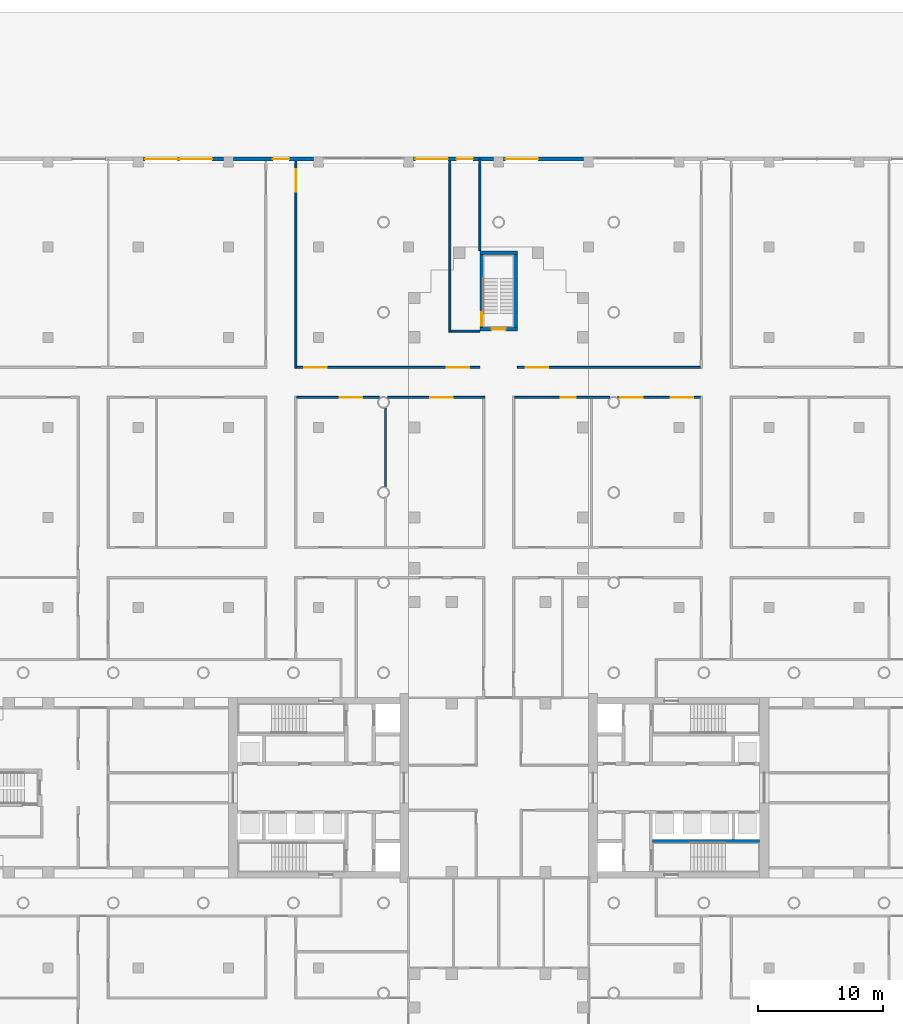
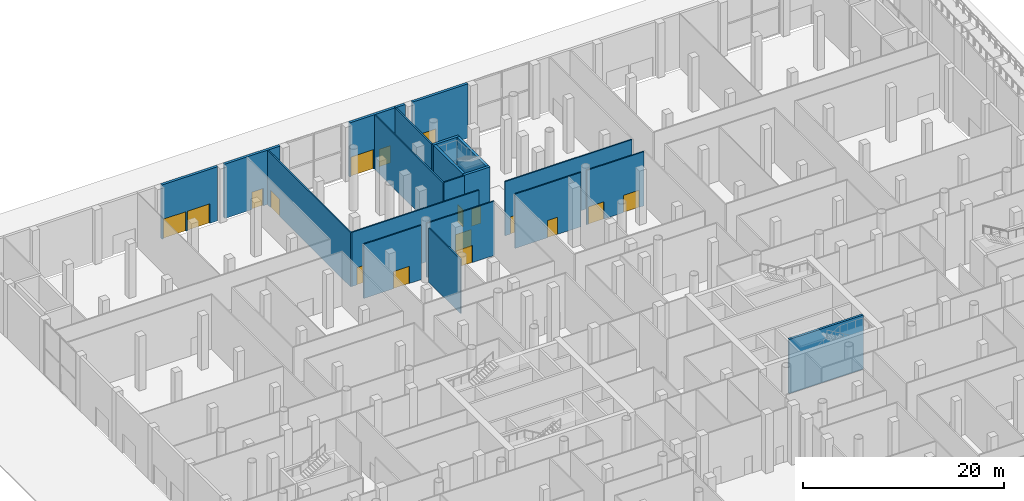
# One storey, part 26 of 44: 20 walls, 17 doors, 17 openings.
"""IFC4 building model written with IfcOpenShell, lengths in metres."""

import ifcopenshell
import ifcopenshell.guid

model = None  # the IFC model being written
_history = None  # IfcOwnerHistory: only IFC2X3 demands one
_inside = {}  # id of a spatial element -> (the spatial element, [elements in it])
_under = {}  # id of a project, library or spatial element -> (it, [spatial elements below it])
_declared = {}  # id of a project -> (the project, [libraries it declares])
_typed = {}  # id of a type object -> (the type object, [elements of that type])
_made_of = {}  # id of a material, layer set ... -> (it, [elements and type objects made of it])


def new_model(schema):
    """Start an empty IFC model of exactly this schema.

    Asked for "IFC4X3", IfcOpenShell would pick the latest addendum, in which some entities
    have other attributes; the version numbers below select the first issue.
    IFC2X3 requires an IfcOwnerHistory on every rooted entity: one is made here for all.
    """
    global model, _history
    if schema == "IFC4X3":
        model = ifcopenshell.file(schema_version=(4, 3, 0, 0))
    else:
        model = ifcopenshell.file(schema=schema)
    _inside.clear()
    _under.clear()
    _declared.clear()
    _typed.clear()
    _made_of.clear()
    _history = None
    if model.schema == "IFC2X3":
        org = make("IfcOrganization", Name="unknown")
        user = make(
            "IfcPersonAndOrganization",
            ThePerson=make("IfcPerson", FamilyName="unknown"),
            TheOrganization=org,
        )
        app = make(
            "IfcApplication",
            ApplicationDeveloper=org,
            Version="unknown",
            ApplicationFullName="unknown",
            ApplicationIdentifier="unknown",
        )
        _history = make(
            "IfcOwnerHistory",
            OwningUser=user,
            OwningApplication=app,
            ChangeAction="ADDED",
            CreationDate=0,
        )
    return model


def make(cls, **values):
    """One entity of the class cls with the attributes given. An attribute that is None is left unset."""
    return model.create_entity(
        cls, **{name: value for name, value in values.items() if value is not None}
    )


def rooted(cls, **values):
    """An entity with a GlobalId (a new one), such as an element, a storey or a relation."""
    return make(cls, GlobalId=ifcopenshell.guid.new(), OwnerHistory=_history, **values)


def si_unit(unit_type, name, prefix=None):
    """IfcSIUnit, for example si_unit("LENGTHUNIT", "METRE", prefix="MILLI")."""
    return make("IfcSIUnit", UnitType=unit_type, Prefix=prefix, Name=name)


def assignment(units):
    """IfcUnitAssignment: the units of a project."""
    return None if units is None else make("IfcUnitAssignment", Units=units)


def point(xyz):
    """IfcCartesianPoint."""
    return None if xyz is None else make("IfcCartesianPoint", Coordinates=xyz)


def direction(xyz):
    """IfcDirection."""
    return None if xyz is None else make("IfcDirection", DirectionRatios=xyz)


def frame(location, z_axis=None, x_axis=None):
    """IfcAxis2Placement3D, a coordinate frame: its origin and axes. An axis left out is left unset."""
    return make(
        "IfcAxis2Placement3D",
        Location=point(location),
        Axis=direction(z_axis),
        RefDirection=direction(x_axis),
    )


def frame_2d(location, x_axis=None):
    """IfcAxis2Placement2D, a coordinate frame in the plane: its origin and x axis."""
    return make(
        "IfcAxis2Placement2D", Location=point(location), RefDirection=direction(x_axis)
    )


def origin():
    """The frame at (0, 0, 0) with its axes left unset."""
    return frame((0.0, 0.0, 0.0))


def place(relative_to, where):
    """IfcLocalPlacement: puts the frame where relative to a parent placement (None: the world)."""
    return make(
        "IfcLocalPlacement", PlacementRelTo=relative_to, RelativePlacement=where
    )


def context(
    kind, dimensions, precision=None, world=None, true_north=None, identifier=None
):
    """IfcGeometricRepresentationContext, for example the 3D "Model" context."""
    return make(
        "IfcGeometricRepresentationContext",
        ContextIdentifier=identifier,
        ContextType=kind,
        CoordinateSpaceDimension=dimensions,
        Precision=precision,
        WorldCoordinateSystem=world,
        TrueNorth=true_north,
    )


def subcontext(parent, identifier, kind, view, scale=None):
    """IfcGeometricRepresentationSubContext, for example "Body" below "Model"."""
    return make(
        "IfcGeometricRepresentationSubContext",
        ContextIdentifier=identifier,
        ContextType=kind,
        ParentContext=parent,
        TargetScale=scale,
        TargetView=view,
    )


def project(units=None, contexts=None):
    """IfcProject with its units and contexts."""
    return rooted(
        "IfcProject",
        Name="project",
        RepresentationContexts=contexts,
        UnitsInContext=assignment(units),
    )


def spatial(cls, under=None, at=None, **own):
    """A site, building, storey or space (cls), placed at a placement, below another one or the project."""
    s = rooted(cls, ObjectPlacement=at, **own)
    if under is not None:
        _under.setdefault(under.id(), (under, []))[1].append(s)
    return s


def profile(cls, at=None, kind="AREA", **sizes):
    """A parametric profile (cls). Its sizes go by their IFC names, for example OverallWidth=200.0."""
    return make(cls, ProfileType=kind, Position=at, **sizes)


def rectangle(**sizes):
    """IfcRectangleProfileDef."""
    return profile("IfcRectangleProfileDef", **sizes)


def extrude(swept, where, along, depth):
    """IfcExtrudedAreaSolid: the profile swept, set in the frame where, extruded along a direction by depth."""
    return make(
        "IfcExtrudedAreaSolid",
        SweptArea=swept,
        Position=where,
        ExtrudedDirection=direction(along),
        Depth=depth,
    )


def shape(context_of_items, identifier, shape_type, items):
    """IfcShapeRepresentation: the items that make up one representation, for example the "Body"."""
    return make(
        "IfcShapeRepresentation",
        ContextOfItems=context_of_items,
        RepresentationIdentifier=identifier,
        RepresentationType=shape_type,
        Items=items,
    )


def material(Name=None, Category=None):
    """IfcMaterial."""
    return make("IfcMaterial", Name=Name, Category=Category)


def layer(
    of_material, thickness, ventilated=None, Name=None, Category=None, Priority=None
):
    """IfcMaterialLayer: one layer of a wall or slab, of a material (None: an air gap)."""
    return make(
        "IfcMaterialLayer",
        Material=of_material,
        LayerThickness=thickness,
        IsVentilated=ventilated,
        Name=Name,
        Category=Category,
        Priority=Priority,
    )


def layer_set(layers, Name=None):
    """IfcMaterialLayerSet."""
    return make("IfcMaterialLayerSet", MaterialLayers=layers, LayerSetName=Name)


def made_of(thing, what):
    """Note that an element or type object is made of a material, layer set ...; save() writes the relation."""
    if what is not None:
        _made_of.setdefault(what.id(), (what, []))[1].append(thing)
    return thing


def type_object(cls, material=None, **own):
    """A type object (cls), such as IfcWallType, which elements share."""
    return made_of(rooted(cls, **own), material)


def element(
    cls,
    number,
    at=None,
    inside=None,
    cuts=None,
    type_object=None,
    material=None,
    context=None,
    identifier="Body",
    shape_type=None,
    held_by="IfcProductDefinitionShape",
    body=None,
    shapes=None,
    **own,
):
    """One element of the class cls, such as IfcWall. Its Tag is "e" and its number.

    at: its placement. inside: the storey or other place that contains it. cuts: it is an
    opening in that element (IfcRelVoidsElement). A single representation is given by context,
    identifier, shape_type and body (its items); several are given by shapes. held_by: the class
    of the entity that holds the representations. save() writes the other relations.
    """
    e = rooted(cls, Tag="e%d" % number, ObjectPlacement=at, **own)
    if body is not None:
        shapes = [shape(context, identifier, shape_type, body)]
    if shapes is not None:
        e.Representation = make(held_by, Representations=shapes)
    if inside is not None:
        _inside.setdefault(inside.id(), (inside, []))[1].append(e)
    if cuts is not None:
        rooted(
            "IfcRelVoidsElement", RelatingBuildingElement=cuts, RelatedOpeningElement=e
        )
    if type_object is not None:
        _typed.setdefault(type_object.id(), (type_object, []))[1].append(e)
    return made_of(e, material)


def fill(opening, filler):
    """IfcRelFillsElement: the door or window that sits in an opening."""
    return rooted(
        "IfcRelFillsElement",
        RelatingOpeningElement=opening,
        RelatedBuildingElement=filler,
    )


def aggregate(whole, parts):
    """IfcRelAggregates: a whole, such as a stair, and the parts it consists of."""
    return rooted("IfcRelAggregates", RelatingObject=whole, RelatedObjects=parts)


def save(model, path):
    """Write the relations noted so far, then the file.

    IfcRelAggregates (storeys below a building ...), IfcRelContainedInSpatialStructure (elements
    in a storey), IfcRelDefinesByType, IfcRelAssociatesMaterial and IfcRelDeclares: one each for
    every whole, place, type object, material and project.
    """
    for whole, parts in _under.values():
        aggregate(whole, parts)
    for where, things in _inside.values():
        rooted(
            "IfcRelContainedInSpatialStructure",
            RelatedElements=things,
            RelatingStructure=where,
        )
    for kind, things in _typed.values():
        rooted("IfcRelDefinesByType", RelatedObjects=things, RelatingType=kind)
    for what, things in _made_of.values():
        rooted("IfcRelAssociatesMaterial", RelatedObjects=things, RelatingMaterial=what)
    for by, libraries in _declared.values():
        rooted("IfcRelDeclares", RelatingContext=by, RelatedDefinitions=libraries)
    model.write(path)


model = new_model("IFC4")

# Units and contexts
model_context = context("Model", 3, precision=1e-05, world=origin(), true_north=direction((0.0, 1.0)))
body_context = subcontext(model_context, "Body", "Model", "MODEL_VIEW")
ifc_project = project(units=[si_unit("LENGTHUNIT", "METRE"), si_unit("AREAUNIT", "SQUARE_METRE"), si_unit("VOLUMEUNIT", "CUBIC_METRE"), si_unit("PLANEANGLEUNIT", "RADIAN"), si_unit("MASSUNIT", "GRAM", prefix="KILO")], contexts=[model_context])

# Site, building, storey
site_placement = place(None, origin())
site = spatial("IfcSite", under=ifc_project, at=site_placement, CompositionType="ELEMENT")
building_placement = place(site_placement, origin())
building = spatial("IfcBuilding", under=site, at=building_placement, Name="Fustian Cross Tower", CompositionType="ELEMENT")
storey_placement = place(building_placement, origin())
storey = spatial("IfcBuildingStorey", under=building, at=storey_placement, Name="L00", CompositionType="ELEMENT", Elevation=0.0)

# Wall, opening, door
ifc_material_1 = material(Name="Plasterboard on steel stud", Category="steel")
ifc_layer_1 = layer(ifc_material_1, 0.14990234375)
ifc_layer_set_1 = layer_set([ifc_layer_1], Name="Plasterboard on steel stud")
wall_type_1 = type_object("IfcWallType", Name="COMPARTMENT WALL 150 EI 60", PredefinedType="PARTITIONING", material=ifc_layer_set_1)
wall_1_placement = place(storey_placement, frame((-16.125, 31.199951171875, 0.0), z_axis=(0.0, 0.0, 1.0), x_axis=(1.0, 0.0, 0.0)))
wall_1 = element("IfcWall", 1, at=wall_1_placement, inside=storey, type_object=wall_type_1, Name="Partition 56", PredefinedType="PARTITIONING", context=body_context, shape_type="SweptSolid", body=[
    extrude(rectangle(XDim=6.603515625, YDim=0.14990234375, at=frame_2d((3.3017578125, 0.0))), origin(), (0.0, 0.0, 1.0), 6.60009765625),
])
opening_1_placement = place(wall_1_placement, frame((3.429931640625, 0.0, 0.0)))
opening_1 = element("IfcOpeningElement", 2, at=opening_1_placement, cuts=wall_1, Name="Opening D02073", PredefinedType="OPENING", context=body_context, shape_type="SweptSolid", body=[
    extrude(rectangle(XDim=1.800048828125, YDim=2.10009765625, at=frame_2d((0.89990234375, 1.050048828125))), frame((0.0, 0.0849609375, 0.0), z_axis=(0.0, -1.0, 0.0), x_axis=(1.0, 0.0, 0.0)), (0.0, 0.0, 1.0), 0.169921875),
])
ifc_material_2 = material(Name="Timber fire door set", Category="wood")
door_type_1 = type_object("IfcDoorType", Name="FIRE DOUBLE DOOR 1800 FD30S", OperationType="DOUBLE_DOOR_DOUBLE_SWING", PredefinedType="DOOR", material=ifc_material_2)
door_1_placement = place(opening_1_placement, origin())
door_1 = element("IfcDoor", 3, at=door_1_placement, inside=storey, type_object=door_type_1, Name="Door D02073", OperationType="DOUBLE_DOOR_DOUBLE_SWING", OverallHeight=2.10009765625, OverallWidth=1.800048828125, PredefinedType="DOOR", context=body_context, shape_type="SweptSolid", body=[
    extrude(rectangle(XDim=1.800048828125, YDim=2.10009765625, at=frame_2d((0.89990234375, 1.050048828125))), frame((0.0, 0.02490234375, 0.0), z_axis=(0.0, -1.0, 0.0), x_axis=(1.0, 0.0, 0.0)), (0.0, 0.0, 1.0), 0.050048828125),
])
fill(opening_1, door_1)

wall_2_placement = place(storey_placement, frame((-8.87841796875, 31.199951171875, 0.0), z_axis=(0.0, 0.0, 1.0), x_axis=(1.0, 0.0, 0.0)))
wall_2 = element("IfcWall", 4, at=wall_2_placement, inside=storey, type_object=wall_type_1, Name="Partition 159", PredefinedType="PARTITIONING", context=body_context, shape_type="SweptSolid", body=[
    extrude(rectangle(XDim=7.75341796875, YDim=0.14990234375, at=frame_2d((3.876708984375, 0.0))), origin(), (0.0, 0.0, 1.0), 6.60009765625),
])
opening_2_placement = place(wall_2_placement, frame((3.428466796875, 0.0, 0.0)))
opening_2 = element("IfcOpeningElement", 5, at=opening_2_placement, cuts=wall_2, Name="Opening D02075", PredefinedType="OPENING", context=body_context, shape_type="SweptSolid", body=[
    extrude(rectangle(XDim=1.800048828125, YDim=2.10009765625, at=frame_2d((0.89990234375, 1.050048828125))), frame((0.0, 0.0849609375, 0.0), z_axis=(0.0, -1.0, 0.0), x_axis=(1.0, 0.0, 0.0)), (0.0, 0.0, 1.0), 0.169921875),
])
door_2_placement = place(opening_2_placement, origin())
door_2 = element("IfcDoor", 6, at=door_2_placement, inside=storey, type_object=door_type_1, Name="Door D02075", OperationType="DOUBLE_DOOR_DOUBLE_SWING", OverallHeight=2.10009765625, OverallWidth=1.800048828125, PredefinedType="DOOR", context=body_context, shape_type="SweptSolid", body=[
    extrude(rectangle(XDim=1.800048828125, YDim=2.10009765625, at=frame_2d((0.89990234375, 1.050048828125))), frame((0.0, 0.02490234375, 0.0), z_axis=(0.0, -1.0, 0.0), x_axis=(1.0, 0.0, 0.0)), (0.0, 0.0, 1.0), 0.050048828125),
])
fill(opening_2, door_2)

wall_3_placement = place(storey_placement, frame((-16.199951171875, 33.52490234375, 0.0), z_axis=(0.0, 0.0, 1.0), x_axis=(0.0, 1.0, 0.0)))
wall_3 = element("IfcWall", 7, at=wall_3_placement, inside=storey, type_object=wall_type_1, Name="Partition 57", PredefinedType="PARTITIONING", context=body_context, shape_type="SweptSolid", body=[
    extrude(rectangle(XDim=16.695068359375, YDim=0.14990234375, at=frame_2d((8.34765625, 0.0))), origin(), (0.0, 0.0, 1.0), 6.60009765625),
])
opening_3_placement = place(wall_3_placement, frame((14.125, 0.0, 0.0)))
opening_3 = element("IfcOpeningElement", 8, at=opening_3_placement, cuts=wall_3, Name="Opening D02084", PredefinedType="OPENING", context=body_context, shape_type="SweptSolid", body=[
    extrude(rectangle(XDim=1.800048828125, YDim=2.10009765625, at=frame_2d((0.89990234375, 1.050048828125))), frame((0.0, 0.0849609375, 0.0), z_axis=(0.0, -1.0, 0.0), x_axis=(1.0, 0.0, 0.0)), (0.0, 0.0, 1.0), 0.169921875),
])
door_3_placement = place(opening_3_placement, origin())
door_3 = element("IfcDoor", 9, at=door_3_placement, inside=storey, type_object=door_type_1, Name="Door D02084", OperationType="DOUBLE_DOOR_DOUBLE_SWING", OverallHeight=2.10009765625, OverallWidth=1.800048828125, PredefinedType="DOOR", context=body_context, shape_type="SweptSolid", body=[
    extrude(rectangle(XDim=1.800048828125, YDim=2.10009765625, at=frame_2d((0.89990234375, 1.050048828125))), frame((0.0, 0.02490234375, 0.0), z_axis=(0.0, -1.0, 0.0), x_axis=(1.0, 0.0, 0.0)), (0.0, 0.0, 1.0), 0.050048828125),
])
fill(opening_3, door_3)

# Wall, openings, doors
wall_4_placement = place(storey_placement, frame((-16.125, 33.60009765625, 0.0), z_axis=(0.0, 0.0, 1.0), x_axis=(1.0, 0.0, 0.0)))
wall_4 = element("IfcWall", 10, at=wall_4_placement, inside=storey, type_object=wall_type_1, Name="Partition 58", PredefinedType="PARTITIONING", context=body_context, shape_type="SweptSolid", body=[
    extrude(rectangle(XDim=14.625, YDim=0.14990234375, at=frame_2d((7.3125, 0.0))), origin(), (0.0, 0.0, 1.0), 6.60009765625),
])
opening_4_placement = place(wall_4_placement, frame((0.574951171875, 0.0, 0.0)))
opening_4 = element("IfcOpeningElement", 11, at=opening_4_placement, cuts=wall_4, Name="Opening D02085", PredefinedType="OPENING", context=body_context, shape_type="SweptSolid", body=[
    extrude(rectangle(XDim=1.800048828125, YDim=2.10009765625, at=frame_2d((0.89990234375, 1.050048828125))), frame((0.0, 0.0849609375, 0.0), z_axis=(0.0, -1.0, 0.0), x_axis=(1.0, 0.0, 0.0)), (0.0, 0.0, 1.0), 0.169921875),
])
opening_5_placement = place(wall_4_placement, frame((11.97509765625, 0.0, 0.0)))
opening_5 = element("IfcOpeningElement", 12, at=opening_5_placement, cuts=wall_4, Name="Opening D02086", PredefinedType="OPENING", context=body_context, shape_type="SweptSolid", body=[
    extrude(rectangle(XDim=1.800048828125, YDim=2.10009765625, at=frame_2d((0.89990234375, 1.050048828125))), frame((0.0, 0.0849609375, 0.0), z_axis=(0.0, -1.0, 0.0), x_axis=(1.0, 0.0, 0.0)), (0.0, 0.0, 1.0), 0.169921875),
])
door_4_placement = place(opening_4_placement, frame((1.800048828125, 0.0, 0.0), z_axis=(0.0, 0.0, 1.0), x_axis=(-1.0, 0.0, 0.0)))
door_4 = element("IfcDoor", 13, at=door_4_placement, inside=storey, type_object=door_type_1, Name="Door D02085", OperationType="DOUBLE_DOOR_DOUBLE_SWING", OverallHeight=2.10009765625, OverallWidth=1.800048828125, PredefinedType="DOOR", context=body_context, shape_type="SweptSolid", body=[
    extrude(rectangle(XDim=1.800048828125, YDim=2.10009765625, at=frame_2d((0.89990234375, 1.050048828125))), frame((0.0, 0.02490234375, 0.0), z_axis=(0.0, -1.0, 0.0), x_axis=(1.0, 0.0, 0.0)), (0.0, 0.0, 1.0), 0.050048828125),
])
fill(opening_4, door_4)
door_5_placement = place(opening_5_placement, frame((1.800048828125, 0.0, 0.0), z_axis=(0.0, 0.0, 1.0), x_axis=(-1.0, 0.0, 0.0)))
door_5 = element("IfcDoor", 14, at=door_5_placement, inside=storey, type_object=door_type_1, Name="Door D02086", OperationType="DOUBLE_DOOR_DOUBLE_SWING", OverallHeight=2.10009765625, OverallWidth=1.800048828125, PredefinedType="DOOR", context=body_context, shape_type="SweptSolid", body=[
    extrude(rectangle(XDim=1.800048828125, YDim=2.10009765625, at=frame_2d((0.89990234375, 1.050048828125))), frame((0.0, 0.02490234375, 0.0), z_axis=(0.0, -1.0, 0.0), x_axis=(1.0, 0.0, 0.0)), (0.0, 0.0, 1.0), 0.050048828125),
])
fill(opening_5, door_5)

# Walls
wall_5_placement = place(storey_placement, frame((-9.044921875, 24.050048828125, 0.0), z_axis=(0.0, 0.0, 1.0), x_axis=(0.0, 1.0, 0.0)))
element("IfcWall", 15, at=wall_5_placement, inside=storey, type_object=wall_type_1, Name="Partition 160", PredefinedType="PARTITIONING", context=body_context, shape_type="SweptSolid", body=[
    extrude(rectangle(XDim=6.2998046875, YDim=0.14990234375, at=frame_2d((3.14990234375, 0.0))), origin(), (0.0, 0.0, 1.0), 6.60009765625),
])
wall_6_placement = place(storey_placement, frame((-3.89990234375, 36.425048828125, 0.0), z_axis=(0.0, 0.0, 1.0), x_axis=(0.0, 1.0, 0.0)))
element("IfcWall", 16, at=wall_6_placement, inside=storey, type_object=wall_type_1, Name="Partition 71", PredefinedType="PARTITIONING", context=body_context, shape_type="SweptSolid", body=[
    extrude(rectangle(XDim=13.794921875, YDim=0.14990234375, at=frame_2d((6.8974609375, 0.0))), origin(), (0.0, 0.0, 1.0), 6.60009765625),
])
wall_7_placement = place(storey_placement, frame((-3.824951171875, 36.5, 0.0), z_axis=(0.0, 0.0, 1.0), x_axis=(1.0, 0.0, 0.0)))
element("IfcWall", 17, at=wall_7_placement, inside=storey, type_object=wall_type_1, Name="Partition 72", PredefinedType="PARTITIONING", context=body_context, shape_type="SweptSolid", body=[
    extrude(rectangle(XDim=2.324951171875, YDim=0.14990234375, at=frame_2d((1.16259765625, 0.0))), origin(), (0.0, 0.0, 1.0), 6.60009765625),
])
wall_8_placement = place(storey_placement, frame((-1.5, 42.89990234375, 0.0), z_axis=(0.0, 0.0, 1.0), x_axis=(0.0, 1.0, 0.0)))
element("IfcWall", 18, at=wall_8_placement, inside=storey, type_object=wall_type_1, Name="Partition 79", PredefinedType="PARTITIONING", context=body_context, shape_type="SweptSolid", body=[
    extrude(rectangle(XDim=7.320068359375, YDim=0.14990234375, at=frame_2d((3.66015625, 0.0))), origin(), (0.0, 0.0, 1.0), 6.60009765625),
])

# Wall, opening, door
wall_9_placement = place(storey_placement, frame((1.27490234375, 31.199951171875, 0.0), z_axis=(0.0, 0.0, 1.0), x_axis=(1.0, 0.0, 0.0)))
wall_9 = element("IfcWall", 19, at=wall_9_placement, inside=storey, type_object=wall_type_1, Name="Partition 87", PredefinedType="PARTITIONING", context=body_context, shape_type="SweptSolid", body=[
    extrude(rectangle(XDim=7.603515625, YDim=0.14990234375, at=frame_2d((3.8017578125, 0.0))), origin(), (0.0, 0.0, 1.0), 6.60009765625),
])
opening_6_placement = place(wall_9_placement, frame((3.699951171875, 0.0, 0.0)))
opening_6 = element("IfcOpeningElement", 20, at=opening_6_placement, cuts=wall_9, Name="Opening D02043", PredefinedType="OPENING", context=body_context, shape_type="SweptSolid", body=[
    extrude(rectangle(XDim=1.199951171875, YDim=2.10009765625, at=frame_2d((0.60009765625, 1.050048828125))), frame((0.0, 0.0849609375, 0.0), z_axis=(0.0, -1.0, 0.0), x_axis=(1.0, 0.0, 0.0)), (0.0, 0.0, 1.0), 0.169921875),
])
ifc_material_3 = material(Name="Timber fire door set", Category="wood")
door_type_2 = type_object("IfcDoorType", Name="FIRE SWING DOOR 1200 FD30S", OperationType="SINGLE_SWING_LEFT", PredefinedType="DOOR", material=ifc_material_3)
door_6_placement = place(opening_6_placement, frame((1.199951171875, 0.0, 0.0), z_axis=(0.0, 0.0, 1.0), x_axis=(-1.0, 0.0, 0.0)))
door_6 = element("IfcDoor", 21, at=door_6_placement, inside=storey, type_object=door_type_2, Name="Door D02043", OperationType="SINGLE_SWING_LEFT", OverallHeight=2.10009765625, OverallWidth=1.199951171875, PredefinedType="DOOR", context=body_context, shape_type="SweptSolid", body=[
    extrude(rectangle(XDim=1.199951171875, YDim=2.10009765625, at=frame_2d((0.60009765625, 1.050048828125))), frame((0.0, 0.02490234375, 0.0), z_axis=(0.0, -1.0, 0.0), x_axis=(1.0, 0.0, 0.0)), (0.0, 0.0, 1.0), 0.050048828125),
])
fill(opening_6, door_6)

# Wall, openings, doors
wall_10_placement = place(storey_placement, frame((9.521484375, 31.199951171875, 0.0), z_axis=(0.0, 0.0, 1.0), x_axis=(1.0, 0.0, 0.0)))
wall_10 = element("IfcWall", 22, at=wall_10_placement, inside=storey, type_object=wall_type_1, Name="Partition 162", PredefinedType="PARTITIONING", context=body_context, shape_type="SweptSolid", body=[
    extrude(rectangle(XDim=6.603515625, YDim=0.14990234375, at=frame_2d((3.3017578125, 0.0))), origin(), (0.0, 0.0, 1.0), 6.60009765625),
])
opening_7_placement = place(wall_10_placement, frame((0.178466796875, 0.0, 0.0)))
opening_7 = element("IfcOpeningElement", 23, at=opening_7_placement, cuts=wall_10, Name="Opening D02045", PredefinedType="OPENING", context=body_context, shape_type="SweptSolid", body=[
    extrude(rectangle(XDim=1.800048828125, YDim=2.10009765625, at=frame_2d((0.89990234375, 1.050048828125))), frame((0.0, 0.0849609375, 0.0), z_axis=(0.0, -1.0, 0.0), x_axis=(1.0, 0.0, 0.0)), (0.0, 0.0, 1.0), 0.169921875),
])
opening_8_placement = place(wall_10_placement, frame((4.228515625, 0.0, 0.0)))
opening_8 = element("IfcOpeningElement", 24, at=opening_8_placement, cuts=wall_10, Name="Opening D02046", PredefinedType="OPENING", context=body_context, shape_type="SweptSolid", body=[
    extrude(rectangle(XDim=1.800048828125, YDim=2.10009765625, at=frame_2d((0.89990234375, 1.050048828125))), frame((0.0, 0.0849609375, 0.0), z_axis=(0.0, -1.0, 0.0), x_axis=(1.0, 0.0, 0.0)), (0.0, 0.0, 1.0), 0.169921875),
])
door_7_placement = place(opening_7_placement, origin())
door_7 = element("IfcDoor", 25, at=door_7_placement, inside=storey, type_object=door_type_1, Name="Door D02045", OperationType="DOUBLE_DOOR_DOUBLE_SWING", OverallHeight=2.10009765625, OverallWidth=1.800048828125, PredefinedType="DOOR", context=body_context, shape_type="SweptSolid", body=[
    extrude(rectangle(XDim=1.800048828125, YDim=2.10009765625, at=frame_2d((0.89990234375, 1.050048828125))), frame((0.0, 0.02490234375, 0.0), z_axis=(0.0, -1.0, 0.0), x_axis=(1.0, 0.0, 0.0)), (0.0, 0.0, 1.0), 0.050048828125),
])
fill(opening_7, door_7)
door_8_placement = place(opening_8_placement, origin())
door_8 = element("IfcDoor", 26, at=door_8_placement, inside=storey, type_object=door_type_1, Name="Door D02046", OperationType="DOUBLE_DOOR_DOUBLE_SWING", OverallHeight=2.10009765625, OverallWidth=1.800048828125, PredefinedType="DOOR", context=body_context, shape_type="SweptSolid", body=[
    extrude(rectangle(XDim=1.800048828125, YDim=2.10009765625, at=frame_2d((0.89990234375, 1.050048828125))), frame((0.0, 0.02490234375, 0.0), z_axis=(0.0, -1.0, 0.0), x_axis=(1.0, 0.0, 0.0)), (0.0, 0.0, 1.0), 0.050048828125),
])
fill(opening_8, door_8)

# Wall, opening, door
wall_11_placement = place(storey_placement, frame((1.5, 33.60009765625, 0.0), z_axis=(0.0, 0.0, 1.0), x_axis=(1.0, 0.0, 0.0)))
wall_11 = element("IfcWall", 27, at=wall_11_placement, inside=storey, type_object=wall_type_1, Name="Partition 89", PredefinedType="PARTITIONING", context=body_context, shape_type="SweptSolid", body=[
    extrude(rectangle(XDim=14.625, YDim=0.14990234375, at=frame_2d((7.3125, 0.0))), origin(), (0.0, 0.0, 1.0), 6.60009765625),
])
opening_9_placement = place(wall_11_placement, frame((0.64990234375, 0.0, 0.0)))
opening_9 = element("IfcOpeningElement", 28, at=opening_9_placement, cuts=wall_11, Name="Opening D02056", PredefinedType="OPENING", context=body_context, shape_type="SweptSolid", body=[
    extrude(rectangle(XDim=1.800048828125, YDim=2.10009765625, at=frame_2d((0.89990234375, 1.050048828125))), frame((0.0, 0.0849609375, 0.0), z_axis=(0.0, -1.0, 0.0), x_axis=(1.0, 0.0, 0.0)), (0.0, 0.0, 1.0), 0.169921875),
])
door_9_placement = place(opening_9_placement, frame((1.800048828125, 0.0, 0.0), z_axis=(0.0, 0.0, 1.0), x_axis=(-1.0, 0.0, 0.0)))
door_9 = element("IfcDoor", 29, at=door_9_placement, inside=storey, type_object=door_type_1, Name="Door D02056", OperationType="DOUBLE_DOOR_DOUBLE_SWING", OverallHeight=2.10009765625, OverallWidth=1.800048828125, PredefinedType="DOOR", context=body_context, shape_type="SweptSolid", body=[
    extrude(rectangle(XDim=1.800048828125, YDim=2.10009765625, at=frame_2d((0.89990234375, 1.050048828125))), frame((0.0, 0.02490234375, 0.0), z_axis=(0.0, -1.0, 0.0), x_axis=(1.0, 0.0, 0.0)), (0.0, 0.0, 1.0), 0.050048828125),
])
fill(opening_9, door_9)

# Wall
ifc_material_4 = material(Name="Concrete C50/60", Category="concrete")
ifc_layer_2 = layer(ifc_material_4, 0.25)
ifc_layer_set_2 = layer_set([ifc_layer_2], Name="Concrete C50/60")
wall_type_2 = type_object("IfcWallType", Name="CORE SHAFT WALL 250 C50/60", PredefinedType="SHEAR", material=ifc_layer_set_2)
wall_12_placement = place(storey_placement, frame((12.300048828125, -4.27490234375, 0.0), z_axis=(0.0, 0.0, 1.0), x_axis=(1.0, 0.0, 0.0)))
element("IfcWall", 30, at=wall_12_placement, inside=storey, type_object=wall_type_2, Name="Core shaft wall", PredefinedType="SHEAR", context=body_context, shape_type="SweptSolid", body=[
    extrude(rectangle(XDim=8.550048828125, YDim=0.25, at=frame_2d((4.27490234375, 0.0))), origin(), (0.0, 0.0, 1.0), 6.60009765625),
])

# Wall, opening, door
ifc_material_5 = material(Name="Dark rainscreen cladding on blockwork", Category="masonry")
ifc_layer_3 = layer(ifc_material_5, 0.300048828125)
ifc_layer_set_3 = layer_set([ifc_layer_3], Name="Dark rainscreen cladding on blockwork")
wall_type_3 = type_object("IfcWallType", Name="EXTERNAL WALL 300 CLADDING", PredefinedType="SOLIDWALL", material=ifc_layer_set_3)
wall_13_placement = place(storey_placement, frame((6.800048828125, 50.25, 0.0), z_axis=(0.0, 0.0, 1.0), x_axis=(-1.0, 0.0, 0.0)))
wall_13 = element("IfcWall", 31, at=wall_13_placement, inside=storey, type_object=wall_type_3, Name="External wall N7", PredefinedType="SOLIDWALL", context=body_context, shape_type="SweptSolid", body=[
    extrude(rectangle(XDim=6.400146484375, YDim=0.300048828125, at=frame_2d((3.2001953125, 0.0))), origin(), (0.0, 0.0, 1.0), 6.60009765625),
])
opening_10_placement = place(wall_13_placement, frame((3.64990234375, 0.0, 0.0)))
opening_10 = element("IfcOpeningElement", 32, at=opening_10_placement, cuts=wall_13, Name="Opening EDP35", PredefinedType="OPENING", context=body_context, shape_type="SweptSolid", body=[
    extrude(rectangle(XDim=2.60009765625, YDim=2.39990234375, at=frame_2d((1.300048828125, 1.199951171875))), frame((0.0, 0.159912109375, 0.0), z_axis=(0.0, -1.0, 0.0), x_axis=(1.0, 0.0, 0.0)), (0.0, 0.0, 1.0), 0.320068359375),
])
ifc_material_6 = material(Name="Aluminium and glass", Category="aluminium")
door_type_3 = type_object("IfcDoorType", Name="ENTRANCE DOOR 2600", OperationType="DOUBLE_DOOR_SINGLE_SWING", PredefinedType="DOOR", material=ifc_material_6)
door_10_placement = place(opening_10_placement, frame((2.60009765625, 0.0, 0.0), z_axis=(0.0, 0.0, 1.0), x_axis=(-1.0, 0.0, 0.0)))
door_10 = element("IfcDoor", 33, at=door_10_placement, inside=storey, type_object=door_type_3, Name="Exit door 35", OperationType="DOUBLE_DOOR_DOUBLE_SWING", OverallHeight=2.39990234375, OverallWidth=2.60009765625, PredefinedType="DOOR", context=body_context, shape_type="SweptSolid", body=[
    extrude(rectangle(XDim=2.60009765625, YDim=2.39990234375, at=frame_2d((1.300048828125, 1.199951171875))), frame((0.0, 0.02490234375, 0.0), z_axis=(0.0, -1.0, 0.0), x_axis=(1.0, 0.0, 0.0)), (0.0, 0.0, 1.0), 0.050048828125),
])
fill(opening_10, door_10)

# Wall, openings, doors
wall_14_placement = place(storey_placement, frame((-0.39990234375, 50.25, 0.0), z_axis=(0.0, 0.0, 1.0), x_axis=(-1.0, 0.0, 0.0)))
wall_14 = element("IfcWall", 34, at=wall_14_placement, inside=storey, type_object=wall_type_3, Name="External wall N8", PredefinedType="SOLIDWALL", context=body_context, shape_type="SweptSolid", body=[
    extrude(rectangle(XDim=6.400146484375, YDim=0.300048828125, at=frame_2d((3.2001953125, 0.0))), origin(), (0.0, 0.0, 1.0), 6.60009765625),
])
opening_11_placement = place(wall_14_placement, frame((1.64990234375, 0.0, 0.0)))
opening_11 = element("IfcOpeningElement", 35, at=opening_11_placement, cuts=wall_14, Name="Opening EDP36", PredefinedType="OPENING", context=body_context, shape_type="SweptSolid", body=[
    extrude(rectangle(XDim=1.300048828125, YDim=2.10009765625, at=frame_2d((0.64990234375, 1.050048828125))), frame((0.0, 0.159912109375, 0.0), z_axis=(0.0, -1.0, 0.0), x_axis=(1.0, 0.0, 0.0)), (0.0, 0.0, 1.0), 0.320068359375),
])
opening_12_placement = place(wall_14_placement, frame((3.64990234375, 0.0, 0.0)))
opening_12 = element("IfcOpeningElement", 36, at=opening_12_placement, cuts=wall_14, Name="Opening EDP37", PredefinedType="OPENING", context=body_context, shape_type="SweptSolid", body=[
    extrude(rectangle(XDim=2.60009765625, YDim=2.39990234375, at=frame_2d((1.300048828125, 1.199951171875))), frame((0.0, 0.159912109375, 0.0), z_axis=(0.0, -1.0, 0.0), x_axis=(1.0, 0.0, 0.0)), (0.0, 0.0, 1.0), 0.320068359375),
])
door_11_placement = place(opening_12_placement, frame((2.60009765625, 0.0, 0.0), z_axis=(0.0, 0.0, 1.0), x_axis=(-1.0, 0.0, 0.0)))
door_11 = element("IfcDoor", 37, at=door_11_placement, inside=storey, type_object=door_type_3, Name="Exit door 37", OperationType="DOUBLE_DOOR_DOUBLE_SWING", OverallHeight=2.39990234375, OverallWidth=2.60009765625, PredefinedType="DOOR", context=body_context, shape_type="SweptSolid", body=[
    extrude(rectangle(XDim=2.60009765625, YDim=2.39990234375, at=frame_2d((1.300048828125, 1.199951171875))), frame((0.0, 0.02490234375, 0.0), z_axis=(0.0, -1.0, 0.0), x_axis=(1.0, 0.0, 0.0)), (0.0, 0.0, 1.0), 0.050048828125),
])
fill(opening_12, door_11)
ifc_material_7 = material(Name="Aluminium and glass", Category="aluminium")
door_type_4 = type_object("IfcDoorType", Name="EXIT DOOR 1300", OperationType="SINGLE_SWING_LEFT", PredefinedType="DOOR", material=ifc_material_7)
door_12_placement = place(opening_11_placement, frame((1.300048828125, 0.0, 0.0), z_axis=(0.0, 0.0, 1.0), x_axis=(-1.0, 0.0, 0.0)))
door_12 = element("IfcDoor", 38, at=door_12_placement, inside=storey, type_object=door_type_4, Name="Exit door 36", OperationType="SINGLE_SWING_LEFT", OverallHeight=2.10009765625, OverallWidth=1.300048828125, PredefinedType="DOOR", context=body_context, shape_type="SweptSolid", body=[
    extrude(rectangle(XDim=1.300048828125, YDim=2.10009765625, at=frame_2d((0.64990234375, 1.050048828125))), frame((0.0, 0.02490234375, 0.0), z_axis=(0.0, -1.0, 0.0), x_axis=(1.0, 0.0, 0.0)), (0.0, 0.0, 1.0), 0.050048828125),
])
fill(opening_11, door_12)

# Wall, opening, door
wall_15_placement = place(storey_placement, frame((-14.800048828125, 50.25, 0.0), z_axis=(0.0, 0.0, 1.0), x_axis=(-1.0, 0.0, 0.0)))
wall_15 = element("IfcWall", 39, at=wall_15_placement, inside=storey, type_object=wall_type_3, Name="External wall N10", PredefinedType="SOLIDWALL", context=body_context, shape_type="SweptSolid", body=[
    extrude(rectangle(XDim=6.39990234375, YDim=0.300048828125, at=frame_2d((3.199951171875, 0.0))), origin(), (0.0, 0.0, 1.0), 6.60009765625),
])
opening_13_placement = place(wall_15_placement, frame((1.949951171875, 0.0, 0.0)))
opening_13 = element("IfcOpeningElement", 40, at=opening_13_placement, cuts=wall_15, Name="Opening EDP38", PredefinedType="OPENING", context=body_context, shape_type="SweptSolid", body=[
    extrude(rectangle(XDim=1.300048828125, YDim=2.10009765625, at=frame_2d((0.64990234375, 1.050048828125))), frame((0.0, 0.159912109375, 0.0), z_axis=(0.0, -1.0, 0.0), x_axis=(1.0, 0.0, 0.0)), (0.0, 0.0, 1.0), 0.320068359375),
])
door_13_placement = place(opening_13_placement, frame((1.300048828125, 0.0, 0.0), z_axis=(0.0, 0.0, 1.0), x_axis=(-1.0, 0.0, 0.0)))
door_13 = element("IfcDoor", 41, at=door_13_placement, inside=storey, type_object=door_type_4, Name="Exit door 38", OperationType="SINGLE_SWING_LEFT", OverallHeight=2.10009765625, OverallWidth=1.300048828125, PredefinedType="DOOR", context=body_context, shape_type="SweptSolid", body=[
    extrude(rectangle(XDim=1.300048828125, YDim=2.10009765625, at=frame_2d((0.64990234375, 1.050048828125))), frame((0.0, 0.02490234375, 0.0), z_axis=(0.0, -1.0, 0.0), x_axis=(1.0, 0.0, 0.0)), (0.0, 0.0, 1.0), 0.050048828125),
])
fill(opening_13, door_13)

# Wall, openings, doors
wall_16_placement = place(storey_placement, frame((-22.0, 50.25, 0.0), z_axis=(0.0, 0.0, 1.0), x_axis=(-1.0, 0.0, 0.0)))
wall_16 = element("IfcWall", 42, at=wall_16_placement, inside=storey, type_object=wall_type_3, Name="External wall N11", PredefinedType="SOLIDWALL", context=body_context, shape_type="SweptSolid", body=[
    extrude(rectangle(XDim=6.39990234375, YDim=0.300048828125, at=frame_2d((3.199951171875, 0.0))), origin(), (0.0, 0.0, 1.0), 6.60009765625),
])
opening_14_placement = place(wall_16_placement, frame((0.89990234375, 0.0, 0.0)))
opening_14 = element("IfcOpeningElement", 43, at=opening_14_placement, cuts=wall_16, Name="Opening EDP39", PredefinedType="OPENING", context=body_context, shape_type="SweptSolid", body=[
    extrude(rectangle(XDim=2.60009765625, YDim=2.39990234375, at=frame_2d((1.300048828125, 1.199951171875))), frame((0.0, 0.159912109375, 0.0), z_axis=(0.0, -1.0, 0.0), x_axis=(1.0, 0.0, 0.0)), (0.0, 0.0, 1.0), 0.320068359375),
])
opening_15_placement = place(wall_16_placement, frame((3.64990234375, 0.0, 0.0)))
opening_15 = element("IfcOpeningElement", 44, at=opening_15_placement, cuts=wall_16, Name="Opening EDP40", PredefinedType="OPENING", context=body_context, shape_type="SweptSolid", body=[
    extrude(rectangle(XDim=2.60009765625, YDim=2.39990234375, at=frame_2d((1.300048828125, 1.199951171875))), frame((0.0, 0.159912109375, 0.0), z_axis=(0.0, -1.0, 0.0), x_axis=(1.0, 0.0, 0.0)), (0.0, 0.0, 1.0), 0.320068359375),
])
door_14_placement = place(opening_14_placement, frame((2.60009765625, 0.0, 0.0), z_axis=(0.0, 0.0, 1.0), x_axis=(-1.0, 0.0, 0.0)))
door_14 = element("IfcDoor", 45, at=door_14_placement, inside=storey, type_object=door_type_3, Name="Exit door 39", OperationType="DOUBLE_DOOR_DOUBLE_SWING", OverallHeight=2.39990234375, OverallWidth=2.60009765625, PredefinedType="DOOR", context=body_context, shape_type="SweptSolid", body=[
    extrude(rectangle(XDim=2.60009765625, YDim=2.39990234375, at=frame_2d((1.300048828125, 1.199951171875))), frame((0.0, 0.02490234375, 0.0), z_axis=(0.0, -1.0, 0.0), x_axis=(1.0, 0.0, 0.0)), (0.0, 0.0, 1.0), 0.050048828125),
])
fill(opening_14, door_14)
door_15_placement = place(opening_15_placement, frame((2.60009765625, 0.0, 0.0), z_axis=(0.0, 0.0, 1.0), x_axis=(-1.0, 0.0, 0.0)))
door_15 = element("IfcDoor", 46, at=door_15_placement, inside=storey, type_object=door_type_3, Name="Exit door 40", OperationType="DOUBLE_DOOR_DOUBLE_SWING", OverallHeight=2.39990234375, OverallWidth=2.60009765625, PredefinedType="DOOR", context=body_context, shape_type="SweptSolid", body=[
    extrude(rectangle(XDim=2.60009765625, YDim=2.39990234375, at=frame_2d((1.300048828125, 1.199951171875))), frame((0.0, 0.02490234375, 0.0), z_axis=(0.0, -1.0, 0.0), x_axis=(1.0, 0.0, 0.0)), (0.0, 0.0, 1.0), 0.050048828125),
])
fill(opening_15, door_15)

# Wall, opening, door
ifc_material_8 = material(Name="Concrete C50/60", Category="concrete")
ifc_layer_4 = layer(ifc_material_8, 0.300048828125)
ifc_layer_set_4 = layer_set([ifc_layer_4], Name="Concrete C50/60")
wall_type_4 = type_object("IfcWallType", Name="STAIR ENCLOSURE WALL 300 C50/60", PredefinedType="SHEAR", material=ifc_layer_set_4)
wall_17_placement = place(storey_placement, frame((-1.5, 36.64990234375, 0.0), z_axis=(0.0, 0.0, 1.0), x_axis=(1.0, 0.0, 0.0)))
wall_17 = element("IfcWall", 47, at=wall_17_placement, inside=storey, type_object=wall_type_4, Name="Stair enclosure wall", PredefinedType="SHEAR", context=body_context, shape_type="SweptSolid", body=[
    extrude(rectangle(XDim=3.0, YDim=0.300048828125, at=frame_2d((1.5, 0.0))), origin(), (0.0, 0.0, 1.0), 6.60009765625),
])
opening_16_placement = place(wall_17_placement, frame((0.949951171875, 0.0, 0.0)))
opening_16 = element("IfcOpeningElement", 48, at=opening_16_placement, cuts=wall_17, Name="Opening CD-02-33", PredefinedType="OPENING", context=body_context, shape_type="SweptSolid", body=[
    extrude(rectangle(XDim=1.10009765625, YDim=2.10009765625, at=frame_2d((0.550048828125, 1.050048828125))), frame((0.0, 0.159912109375, 0.0), z_axis=(0.0, -1.0, 0.0), x_axis=(1.0, 0.0, 0.0)), (0.0, 0.0, 1.0), 0.320068359375),
])
ifc_material_9 = material(Name="Steel", Category="steel")
door_type_5 = type_object("IfcDoorType", Name="FIRE DOOR FD60S 1100X2100", OperationType="SINGLE_SWING_LEFT", PredefinedType="DOOR", material=ifc_material_9)
door_16_placement = place(opening_16_placement, origin())
door_16 = element("IfcDoor", 49, at=door_16_placement, inside=storey, type_object=door_type_5, Name="Core door CD-02-33", OperationType="SINGLE_SWING_LEFT", OverallHeight=2.10009765625, OverallWidth=1.10009765625, PredefinedType="DOOR", context=body_context, shape_type="SweptSolid", body=[
    extrude(rectangle(XDim=1.10009765625, YDim=2.10009765625, at=frame_2d((0.550048828125, 1.050048828125))), frame((0.0, 0.02490234375, 0.0), z_axis=(0.0, -1.0, 0.0), x_axis=(1.0, 0.0, 0.0)), (0.0, 0.0, 1.0), 0.050048828125),
])
fill(opening_16, door_16)

# Wall
wall_18_placement = place(storey_placement, frame((-1.5, 42.75, 0.0), z_axis=(0.0, 0.0, 1.0), x_axis=(1.0, 0.0, 0.0)))
element("IfcWall", 50, at=wall_18_placement, inside=storey, type_object=wall_type_4, Name="Stair enclosure wall", PredefinedType="SHEAR", context=body_context, shape_type="SweptSolid", body=[
    extrude(rectangle(XDim=3.0, YDim=0.300048828125, at=frame_2d((1.5, 0.0))), origin(), (0.0, 0.0, 1.0), 6.60009765625),
])

# Wall, opening, door
wall_19_placement = place(storey_placement, frame((-1.35009765625, 36.800048828125, 0.0), z_axis=(0.0, 0.0, 1.0), x_axis=(0.0, 1.0, 0.0)))
wall_19 = element("IfcWall", 51, at=wall_19_placement, inside=storey, type_object=wall_type_4, Name="Stair enclosure wall", PredefinedType="SHEAR", context=body_context, shape_type="SweptSolid", body=[
    extrude(rectangle(XDim=5.800048828125, YDim=0.300048828125, at=frame_2d((2.89990234375, 0.0))), origin(), (0.0, 0.0, 1.0), 6.60009765625),
])
opening_17_placement = place(wall_19_placement, frame((0.110107421875, 0.0, 0.0)))
opening_17 = element("IfcOpeningElement", 52, at=opening_17_placement, cuts=wall_19, Name="Opening CD-02-45", PredefinedType="OPENING", context=body_context, shape_type="SweptSolid", body=[
    extrude(rectangle(XDim=1.10009765625, YDim=2.10009765625, at=frame_2d((0.550048828125, 1.050048828125))), frame((0.0, 0.159912109375, 0.0), z_axis=(0.0, -1.0, 0.0), x_axis=(1.0, 0.0, 0.0)), (0.0, 0.0, 1.0), 0.320068359375),
])
door_17_placement = place(opening_17_placement, origin())
door_17 = element("IfcDoor", 53, at=door_17_placement, inside=storey, type_object=door_type_5, Name="Core door CD-02-45", OperationType="SINGLE_SWING_LEFT", OverallHeight=2.10009765625, OverallWidth=1.10009765625, PredefinedType="DOOR", context=body_context, shape_type="SweptSolid", body=[
    extrude(rectangle(XDim=1.10009765625, YDim=2.10009765625, at=frame_2d((0.550048828125, 1.050048828125))), frame((0.0, 0.02490234375, 0.0), z_axis=(0.0, -1.0, 0.0), x_axis=(1.0, 0.0, 0.0)), (0.0, 0.0, 1.0), 0.050048828125),
])
fill(opening_17, door_17)

# Wall
wall_20_placement = place(storey_placement, frame((1.35009765625, 36.800048828125, 0.0), z_axis=(0.0, 0.0, 1.0), x_axis=(0.0, 1.0, 0.0)))
element("IfcWall", 54, at=wall_20_placement, inside=storey, type_object=wall_type_4, Name="Stair enclosure wall", PredefinedType="SHEAR", context=body_context, shape_type="SweptSolid", body=[
    extrude(rectangle(XDim=5.800048828125, YDim=0.300048828125, at=frame_2d((2.89990234375, 0.0))), origin(), (0.0, 0.0, 1.0), 6.60009765625),
])

save(model, "model.ifc")
